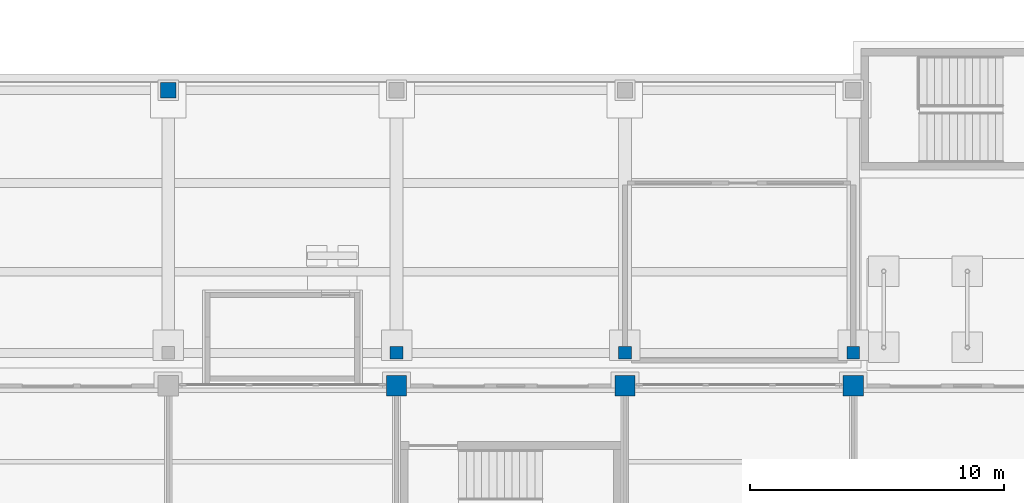
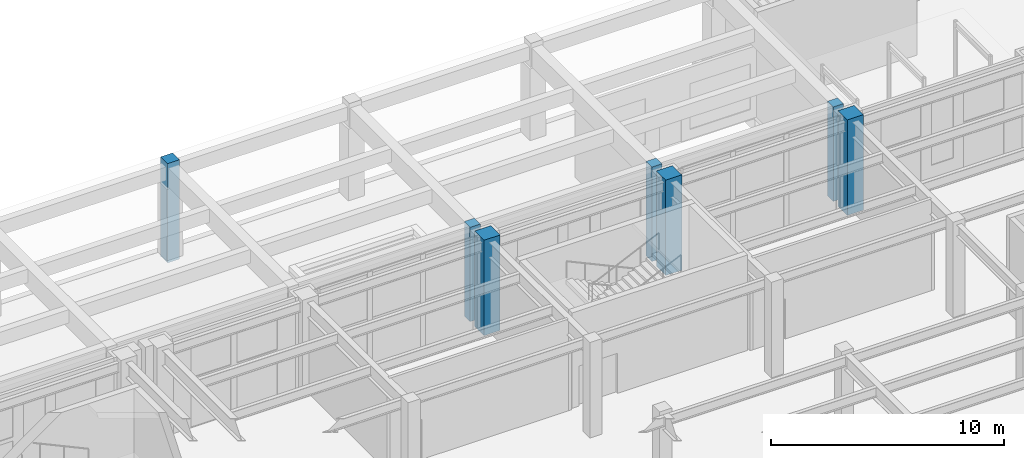
# One storey, part 12 of 77: 7 columns.
"""IFC4 building model written with IfcOpenShell, lengths in metres."""

import ifcopenshell
import ifcopenshell.guid

model = None  # the IFC model being written
_history = None  # IfcOwnerHistory: only IFC2X3 demands one
_inside = {}  # id of a spatial element -> (the spatial element, [elements in it])
_under = {}  # id of a project, library or spatial element -> (it, [spatial elements below it])
_declared = {}  # id of a project -> (the project, [libraries it declares])
_typed = {}  # id of a type object -> (the type object, [elements of that type])
_made_of = {}  # id of a material, layer set ... -> (it, [elements and type objects made of it])


def new_model(schema):
    """Start an empty IFC model of exactly this schema.

    Asked for "IFC4X3", IfcOpenShell would pick the latest addendum, in which some entities
    have other attributes; the version numbers below select the first issue.
    IFC2X3 requires an IfcOwnerHistory on every rooted entity: one is made here for all.
    """
    global model, _history
    if schema == "IFC4X3":
        model = ifcopenshell.file(schema_version=(4, 3, 0, 0))
    else:
        model = ifcopenshell.file(schema=schema)
    _inside.clear()
    _under.clear()
    _declared.clear()
    _typed.clear()
    _made_of.clear()
    _history = None
    if model.schema == "IFC2X3":
        org = make("IfcOrganization", Name="unknown")
        user = make(
            "IfcPersonAndOrganization",
            ThePerson=make("IfcPerson", FamilyName="unknown"),
            TheOrganization=org,
        )
        app = make(
            "IfcApplication",
            ApplicationDeveloper=org,
            Version="unknown",
            ApplicationFullName="unknown",
            ApplicationIdentifier="unknown",
        )
        _history = make(
            "IfcOwnerHistory",
            OwningUser=user,
            OwningApplication=app,
            ChangeAction="ADDED",
            CreationDate=0,
        )
    return model


def make(cls, **values):
    """One entity of the class cls with the attributes given. An attribute that is None is left unset."""
    return model.create_entity(
        cls, **{name: value for name, value in values.items() if value is not None}
    )


def rooted(cls, **values):
    """An entity with a GlobalId (a new one), such as an element, a storey or a relation."""
    return make(cls, GlobalId=ifcopenshell.guid.new(), OwnerHistory=_history, **values)


def si_unit(unit_type, name, prefix=None):
    """IfcSIUnit, for example si_unit("LENGTHUNIT", "METRE", prefix="MILLI")."""
    return make("IfcSIUnit", UnitType=unit_type, Prefix=prefix, Name=name)


def assignment(units):
    """IfcUnitAssignment: the units of a project."""
    return None if units is None else make("IfcUnitAssignment", Units=units)


def point(xyz):
    """IfcCartesianPoint."""
    return None if xyz is None else make("IfcCartesianPoint", Coordinates=xyz)


def direction(xyz):
    """IfcDirection."""
    return None if xyz is None else make("IfcDirection", DirectionRatios=xyz)


def frame(location, z_axis=None, x_axis=None):
    """IfcAxis2Placement3D, a coordinate frame: its origin and axes. An axis left out is left unset."""
    return make(
        "IfcAxis2Placement3D",
        Location=point(location),
        Axis=direction(z_axis),
        RefDirection=direction(x_axis),
    )


def frame_2d(location, x_axis=None):
    """IfcAxis2Placement2D, a coordinate frame in the plane: its origin and x axis."""
    return make(
        "IfcAxis2Placement2D", Location=point(location), RefDirection=direction(x_axis)
    )


def origin():
    """The frame at (0, 0, 0) with its axes left unset."""
    return frame((0.0, 0.0, 0.0))


def origin_2d():
    """The frame at (0, 0) in the plane with its x axis left unset."""
    return frame_2d((0.0, 0.0))


def place(relative_to, where):
    """IfcLocalPlacement: puts the frame where relative to a parent placement (None: the world)."""
    return make(
        "IfcLocalPlacement", PlacementRelTo=relative_to, RelativePlacement=where
    )


def context(
    kind, dimensions, precision=None, world=None, true_north=None, identifier=None
):
    """IfcGeometricRepresentationContext, for example the 3D "Model" context."""
    return make(
        "IfcGeometricRepresentationContext",
        ContextIdentifier=identifier,
        ContextType=kind,
        CoordinateSpaceDimension=dimensions,
        Precision=precision,
        WorldCoordinateSystem=world,
        TrueNorth=true_north,
    )


def subcontext(parent, identifier, kind, view, scale=None):
    """IfcGeometricRepresentationSubContext, for example "Body" below "Model"."""
    return make(
        "IfcGeometricRepresentationSubContext",
        ContextIdentifier=identifier,
        ContextType=kind,
        ParentContext=parent,
        TargetScale=scale,
        TargetView=view,
    )


def project(units=None, contexts=None):
    """IfcProject with its units and contexts."""
    return rooted(
        "IfcProject",
        Name="project",
        RepresentationContexts=contexts,
        UnitsInContext=assignment(units),
    )


def spatial(cls, under=None, at=None, **own):
    """A site, building, storey or space (cls), placed at a placement, below another one or the project."""
    s = rooted(cls, ObjectPlacement=at, **own)
    if under is not None:
        _under.setdefault(under.id(), (under, []))[1].append(s)
    return s


def profile(cls, at=None, kind="AREA", **sizes):
    """A parametric profile (cls). Its sizes go by their IFC names, for example OverallWidth=200.0."""
    return make(cls, ProfileType=kind, Position=at, **sizes)


def rectangle(**sizes):
    """IfcRectangleProfileDef."""
    return profile("IfcRectangleProfileDef", **sizes)


def extrude(swept, where, along, depth):
    """IfcExtrudedAreaSolid: the profile swept, set in the frame where, extruded along a direction by depth."""
    return make(
        "IfcExtrudedAreaSolid",
        SweptArea=swept,
        Position=where,
        ExtrudedDirection=direction(along),
        Depth=depth,
    )


def shape(context_of_items, identifier, shape_type, items):
    """IfcShapeRepresentation: the items that make up one representation, for example the "Body"."""
    return make(
        "IfcShapeRepresentation",
        ContextOfItems=context_of_items,
        RepresentationIdentifier=identifier,
        RepresentationType=shape_type,
        Items=items,
    )


def material(Name=None, Category=None):
    """IfcMaterial."""
    return make("IfcMaterial", Name=Name, Category=Category)


def material_profile(
    of_material, cross_section, Name=None, Category=None, Priority=None
):
    """IfcMaterialProfile: a cross section and its material."""
    return make(
        "IfcMaterialProfile",
        Name=Name,
        Material=of_material,
        Profile=cross_section,
        Priority=Priority,
        Category=Category,
    )


def profile_set(profiles, Name=None, composite=None):
    """IfcMaterialProfileSet."""
    return make(
        "IfcMaterialProfileSet",
        Name=Name,
        MaterialProfiles=profiles,
        CompositeProfile=composite,
    )


def made_of(thing, what):
    """Note that an element or type object is made of a material, layer set ...; save() writes the relation."""
    if what is not None:
        _made_of.setdefault(what.id(), (what, []))[1].append(thing)
    return thing


def type_object(cls, material=None, **own):
    """A type object (cls), such as IfcWallType, which elements share."""
    return made_of(rooted(cls, **own), material)


def element(
    cls,
    number,
    at=None,
    inside=None,
    cuts=None,
    type_object=None,
    material=None,
    context=None,
    identifier="Body",
    shape_type=None,
    held_by="IfcProductDefinitionShape",
    body=None,
    shapes=None,
    **own,
):
    """One element of the class cls, such as IfcWall. Its Tag is "e" and its number.

    at: its placement. inside: the storey or other place that contains it. cuts: it is an
    opening in that element (IfcRelVoidsElement). A single representation is given by context,
    identifier, shape_type and body (its items); several are given by shapes. held_by: the class
    of the entity that holds the representations. save() writes the other relations.
    """
    e = rooted(cls, Tag="e%d" % number, ObjectPlacement=at, **own)
    if body is not None:
        shapes = [shape(context, identifier, shape_type, body)]
    if shapes is not None:
        e.Representation = make(held_by, Representations=shapes)
    if inside is not None:
        _inside.setdefault(inside.id(), (inside, []))[1].append(e)
    if cuts is not None:
        rooted(
            "IfcRelVoidsElement", RelatingBuildingElement=cuts, RelatedOpeningElement=e
        )
    if type_object is not None:
        _typed.setdefault(type_object.id(), (type_object, []))[1].append(e)
    return made_of(e, material)


def aggregate(whole, parts):
    """IfcRelAggregates: a whole, such as a stair, and the parts it consists of."""
    return rooted("IfcRelAggregates", RelatingObject=whole, RelatedObjects=parts)


def save(model, path):
    """Write the relations noted so far, then the file.

    IfcRelAggregates (storeys below a building ...), IfcRelContainedInSpatialStructure (elements
    in a storey), IfcRelDefinesByType, IfcRelAssociatesMaterial and IfcRelDeclares: one each for
    every whole, place, type object, material and project.
    """
    for whole, parts in _under.values():
        aggregate(whole, parts)
    for where, things in _inside.values():
        rooted(
            "IfcRelContainedInSpatialStructure",
            RelatedElements=things,
            RelatingStructure=where,
        )
    for kind, things in _typed.values():
        rooted("IfcRelDefinesByType", RelatedObjects=things, RelatingType=kind)
    for what, things in _made_of.values():
        rooted("IfcRelAssociatesMaterial", RelatedObjects=things, RelatingMaterial=what)
    for by, libraries in _declared.values():
        rooted("IfcRelDeclares", RelatingContext=by, RelatedDefinitions=libraries)
    model.write(path)


model = new_model("IFC4")

# Units and contexts
model_context = context("Model", 3, precision=1e-05, world=origin(), true_north=direction((0.0, 1.0)))
body_context = subcontext(model_context, "Body", "Model", "MODEL_VIEW")
ifc_project = project(units=[si_unit("LENGTHUNIT", "METRE"), si_unit("AREAUNIT", "SQUARE_METRE"), si_unit("VOLUMEUNIT", "CUBIC_METRE"), si_unit("PLANEANGLEUNIT", "RADIAN"), si_unit("MASSUNIT", "GRAM", prefix="KILO")], contexts=[model_context])

# Site, building, storey
site_placement = place(None, origin())
site = spatial("IfcSite", under=ifc_project, at=site_placement, CompositionType="ELEMENT")
building_placement = place(site_placement, origin())
building = spatial("IfcBuilding", under=site, at=building_placement, Name="Aravalli Gate Trade Fair Centre", CompositionType="ELEMENT")
storey_placement = place(building_placement, origin())
storey = spatial("IfcBuildingStorey", under=building, at=storey_placement, Name="L00", CompositionType="ELEMENT", Elevation=0.0)

# Columns
ifc_material = material(Name="Concrete M45", Category="concrete")
ifc_material_profile_1 = material_profile(ifc_material, rectangle(XDim=0.5, YDim=0.5, at=origin_2d()), Name="Arcade column 500 x 500")
ifc_profile_set_1 = profile_set([ifc_material_profile_1], Name="Concrete M45")
column_type_1 = type_object("IfcColumnType", Name="Arcade column 500 x 500", PredefinedType="COLUMN", material=ifc_profile_set_1)
for number, where, z_axis, x_axis, name in (
    (1, (123.0, 134.300048828125, -0.199951171875), (0.0, 0.0, 1.0), (1.0, 0.0, 0.0), "Arcade column S14"),
    (2, (132.0, 134.300048828125, -0.199951171875), (0.0, 0.0, 1.0), (1.0, 0.0, 0.0), "Arcade column S15"),
    (3, (141.0, 134.300048828125, -0.199951171875), (0.0, 0.0, 1.0), (1.0, 0.0, 0.0), "Arcade column S16"),
):
    element("IfcColumn", number, at=place(storey_placement, frame(where, z_axis=z_axis, x_axis=x_axis)), inside=storey, type_object=column_type_1, Name=name, PredefinedType="COLUMN", context=body_context, shape_type="SweptSolid", body=[
        extrude(rectangle(XDim=0.5, YDim=0.5, at=origin_2d()), origin(), (0.0, 0.0, 1.0), 4.949951171875),
    ])
ifc_material_profile_2 = material_profile(ifc_material, rectangle(XDim=0.60009765625, YDim=0.60009765625, at=origin_2d()), Name="Arcade pier 600 x 600")
ifc_profile_set_2 = profile_set([ifc_material_profile_2], Name="Concrete M45")
column_type_2 = type_object("IfcColumnType", Name="Arcade pier 600 x 600", PredefinedType="COLUMN", material=ifc_profile_set_2)
column_placement = place(storey_placement, frame((114.0, 144.64990234375, -0.199951171875), z_axis=(0.0, 0.0, 1.0), x_axis=(1.0, 0.0, 0.0)))
element("IfcColumn", 4, at=column_placement, inside=storey, type_object=column_type_2, Name="Arcade pier N13 L00", PredefinedType="COLUMN", context=body_context, shape_type="SweptSolid", body=[
    extrude(rectangle(XDim=0.60009765625, YDim=0.60009765625, at=origin_2d()), origin(), (0.0, 0.0, 1.0), 5.199951171875),
])
ifc_material_profile_3 = material_profile(ifc_material, rectangle(XDim=0.800048828125, YDim=0.800048828125, at=origin_2d()), Name="RC column 800 x 800")
ifc_profile_set_3 = profile_set([ifc_material_profile_3], Name="Concrete M45")
column_type_3 = type_object("IfcColumnType", Name="RC column 800 x 800", PredefinedType="COLUMN", material=ifc_profile_set_3)
for number, where, z_axis, x_axis, name in (
    (5, (123.0, 133.0, 0.0), (0.0, 0.0, 1.0), (1.0, 0.0, 0.0), "Concourse column K14 L00"),
    (6, (132.0, 133.0, 0.0), (0.0, 0.0, 1.0), (1.0, 0.0, 0.0), "Concourse column K15 L00"),
    (7, (141.0, 133.0, 0.0), (0.0, 0.0, 1.0), (1.0, 0.0, 0.0), "Concourse column K16 L00"),
):
    element("IfcColumn", number, at=place(storey_placement, frame(where, z_axis=z_axis, x_axis=x_axis)), inside=storey, type_object=column_type_3, Name=name, PredefinedType="COLUMN", context=body_context, shape_type="SweptSolid", body=[
        extrude(rectangle(XDim=0.800048828125, YDim=0.800048828125, at=origin_2d()), origin(), (0.0, 0.0, 1.0), 5.0),
    ])

save(model, "model.ifc")
